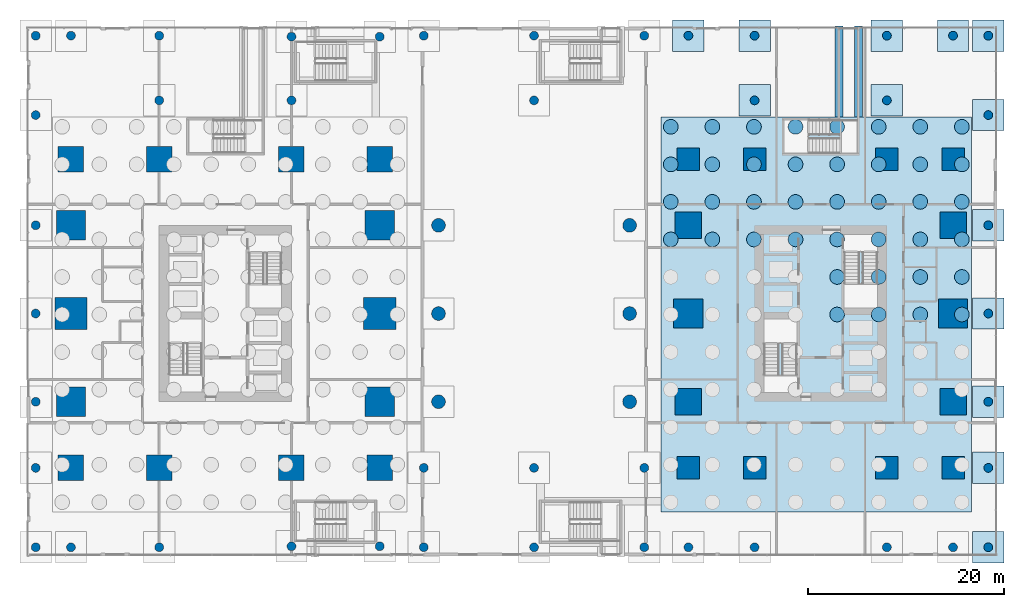
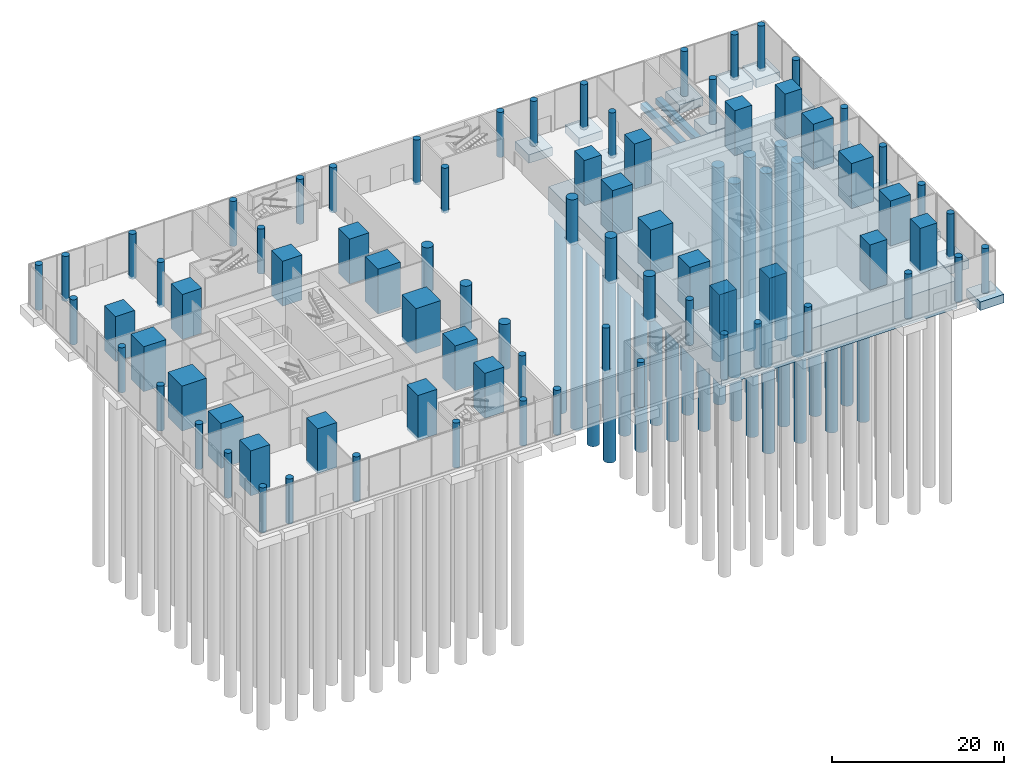
# One storey, part 2 of 31: 78 columns, 40 piles, 16 footings.
"""IFC4 building model written with IfcOpenShell, lengths in metres."""

from ifc_helpers import new_model, si_unit, direction, frame, origin, origin_2d, place, context, subcontext, project, spatial, rectangle, circle, extrude, material, material_profile, profile_set, type_object, element, save


model = new_model("IFC4")

# Units and contexts
model_context = context("Model", 3, precision=1e-05, world=origin(), true_north=direction((0.0, 1.0)))
body_context = subcontext(model_context, "Body", "Model", "MODEL_VIEW")
ifc_project = project(units=[si_unit("LENGTHUNIT", "METRE"), si_unit("AREAUNIT", "SQUARE_METRE"), si_unit("VOLUMEUNIT", "CUBIC_METRE"), si_unit("PLANEANGLEUNIT", "RADIAN"), si_unit("MASSUNIT", "GRAM", prefix="KILO")], contexts=[model_context])

# Site, building, storey
site_placement = place(None, origin())
site = spatial("IfcSite", under=ifc_project, at=site_placement, CompositionType="ELEMENT")
building_placement = place(site_placement, origin())
building = spatial("IfcBuilding", under=site, at=building_placement, Name="Namib Vertical Campus", CompositionType="ELEMENT")
storey_placement = place(building_placement, origin())
storey = spatial("IfcBuildingStorey", under=building, at=storey_placement, Name="L00", CompositionType="ELEMENT", Elevation=0.0)

# Piles
ifc_material_1 = material(Name="Concrete C35/45", Category="concrete")
ifc_material_profile_1 = material_profile(ifc_material_1, circle(Radius=0.75, at=origin_2d()))
ifc_profile_set_1 = profile_set([ifc_material_profile_1], Name="Concrete C35/45")
pile_type = type_object("IfcPileType", Name="Bored pile D1500", PredefinedType="BORED", material=ifc_profile_set_1)
for number, where, z_axis, x_axis, name in (
    (1, (82.6708984375, 20.14990234375, -4.39990234375), (0.0, 0.0, -1.0), (1.0, 0.0, 0.0), "Pile BP3 B-45"),
    (2, (86.9140625, 20.14990234375, -4.39990234375), (0.0, 0.0, -1.0), (1.0, 0.0, 0.0), "Pile BP3 B-46"),
    (3, (91.156982421875, 20.14990234375, -4.39990234375), (0.0, 0.0, -1.0), (1.0, 0.0, 0.0), "Pile BP3 B-47"),
    (4, (95.39990234375, 20.14990234375, -4.39990234375), (0.0, 0.0, -1.0), (1.0, 0.0, 0.0), "Pile BP3 B-48"),
    (5, (82.6708984375, 23.97998046875, -4.39990234375), (0.0, 0.0, -1.0), (1.0, 0.0, 0.0), "Pile BP3 B-53"),
    (6, (86.9140625, 23.97998046875, -4.39990234375), (0.0, 0.0, -1.0), (1.0, 0.0, 0.0), "Pile BP3 B-54"),
    (7, (91.156982421875, 23.97998046875, -4.39990234375), (0.0, 0.0, -1.0), (1.0, 0.0, 0.0), "Pile BP3 B-55"),
    (8, (95.39990234375, 23.97998046875, -4.39990234375), (0.0, 0.0, -1.0), (1.0, 0.0, 0.0), "Pile BP3 B-56"),
    (9, (65.699951171875, 27.81005859375, -4.39990234375), (0.0, 0.0, -1.0), (1.0, 0.0, 0.0), "Pile BP3 B-57"),
    (10, (69.943115234375, 27.81005859375, -4.39990234375), (0.0, 0.0, -1.0), (1.0, 0.0, 0.0), "Pile BP3 B-58"),
    (11, (74.18603515625, 27.81005859375, -4.39990234375), (0.0, 0.0, -1.0), (1.0, 0.0, 0.0), "Pile BP3 B-59"),
    (12, (78.428955078125, 27.81005859375, -4.39990234375), (0.0, 0.0, -1.0), (1.0, 0.0, 0.0), "Pile BP3 B-60"),
    (13, (82.6708984375, 27.81005859375, -4.39990234375), (0.0, 0.0, -1.0), (1.0, 0.0, 0.0), "Pile BP3 B-61"),
    (14, (86.9140625, 27.81005859375, -4.39990234375), (0.0, 0.0, -1.0), (1.0, 0.0, 0.0), "Pile BP3 B-62"),
    (15, (91.156982421875, 27.81005859375, -4.39990234375), (0.0, 0.0, -1.0), (1.0, 0.0, 0.0), "Pile BP3 B-63"),
    (16, (95.39990234375, 27.81005859375, -4.39990234375), (0.0, 0.0, -1.0), (1.0, 0.0, 0.0), "Pile BP3 B-64"),
    (17, (65.699951171875, 31.639892578125, -4.39990234375), (0.0, 0.0, -1.0), (1.0, 0.0, 0.0), "Pile BP3 B-65"),
    (18, (69.943115234375, 31.639892578125, -4.39990234375), (0.0, 0.0, -1.0), (1.0, 0.0, 0.0), "Pile BP3 B-66"),
    (19, (74.18603515625, 31.639892578125, -4.39990234375), (0.0, 0.0, -1.0), (1.0, 0.0, 0.0), "Pile BP3 B-67"),
    (20, (78.428955078125, 31.639892578125, -4.39990234375), (0.0, 0.0, -1.0), (1.0, 0.0, 0.0), "Pile BP3 B-68"),
    (21, (82.6708984375, 31.639892578125, -4.39990234375), (0.0, 0.0, -1.0), (1.0, 0.0, 0.0), "Pile BP3 B-69"),
    (22, (86.9140625, 31.639892578125, -4.39990234375), (0.0, 0.0, -1.0), (1.0, 0.0, 0.0), "Pile BP3 B-70"),
    (23, (91.156982421875, 31.639892578125, -4.39990234375), (0.0, 0.0, -1.0), (1.0, 0.0, 0.0), "Pile BP3 B-71"),
    (24, (95.39990234375, 31.639892578125, -4.39990234375), (0.0, 0.0, -1.0), (1.0, 0.0, 0.0), "Pile BP3 B-72"),
    (25, (65.699951171875, 35.469970703125, -4.39990234375), (0.0, 0.0, -1.0), (1.0, 0.0, 0.0), "Pile BP3 B-73"),
    (26, (69.943115234375, 35.469970703125, -4.39990234375), (0.0, 0.0, -1.0), (1.0, 0.0, 0.0), "Pile BP3 B-74"),
    (27, (74.18603515625, 35.469970703125, -4.39990234375), (0.0, 0.0, -1.0), (1.0, 0.0, 0.0), "Pile BP3 B-75"),
    (28, (78.428955078125, 35.469970703125, -4.39990234375), (0.0, 0.0, -1.0), (1.0, 0.0, 0.0), "Pile BP3 B-76"),
    (29, (82.6708984375, 35.469970703125, -4.39990234375), (0.0, 0.0, -1.0), (1.0, 0.0, 0.0), "Pile BP3 B-77"),
    (30, (86.9140625, 35.469970703125, -4.39990234375), (0.0, 0.0, -1.0), (1.0, 0.0, 0.0), "Pile BP3 B-78"),
    (31, (91.156982421875, 35.469970703125, -4.39990234375), (0.0, 0.0, -1.0), (1.0, 0.0, 0.0), "Pile BP3 B-79"),
    (32, (95.39990234375, 35.469970703125, -4.39990234375), (0.0, 0.0, -1.0), (1.0, 0.0, 0.0), "Pile BP3 B-80"),
    (33, (65.699951171875, 39.300048828125, -4.39990234375), (0.0, 0.0, -1.0), (1.0, 0.0, 0.0), "Pile BP3 B-81"),
    (34, (69.943115234375, 39.300048828125, -4.39990234375), (0.0, 0.0, -1.0), (1.0, 0.0, 0.0), "Pile BP3 B-82"),
    (35, (74.18603515625, 39.300048828125, -4.39990234375), (0.0, 0.0, -1.0), (1.0, 0.0, 0.0), "Pile BP3 B-83"),
    (36, (78.428955078125, 39.300048828125, -4.39990234375), (0.0, 0.0, -1.0), (1.0, 0.0, 0.0), "Pile BP3 B-84"),
    (37, (82.6708984375, 39.300048828125, -4.39990234375), (0.0, 0.0, -1.0), (1.0, 0.0, 0.0), "Pile BP3 B-85"),
    (38, (86.9140625, 39.300048828125, -4.39990234375), (0.0, 0.0, -1.0), (1.0, 0.0, 0.0), "Pile BP3 B-86"),
    (39, (91.156982421875, 39.300048828125, -4.39990234375), (0.0, 0.0, -1.0), (1.0, 0.0, 0.0), "Pile BP3 B-87"),
    (40, (95.39990234375, 39.300048828125, -4.39990234375), (0.0, 0.0, -1.0), (1.0, 0.0, 0.0), "Pile BP3 B-88"),
):
    element("IfcPile", number, at=place(storey_placement, frame(where, z_axis=z_axis, x_axis=x_axis)), inside=storey, type_object=pile_type, Name=name, PredefinedType="BORED", context=body_context, shape_type="SweptSolid", body=[
        extrude(circle(Radius=0.75, at=origin_2d()), origin(), (0.0, 0.0, 1.0), 27.60009765625),
    ])

# Footings
ifc_material_2 = material(Name="Concrete C35/45", Category="concrete")
footing_type_1 = type_object("IfcFootingType", Name="Pad footing 3200x3200x1200", PredefinedType="PAD_FOOTING", material=ifc_material_2)
for number, where, z_axis, x_axis, name in (
    (41, (98.10009765625, -3.60009765625, -1.60009765625), (0.0, 0.0, 1.0), (1.0, 0.0, 0.0), "Pad footing PF2"),
    (42, (98.10009765625, 4.5, -1.60009765625), (0.0, 0.0, 1.0), (1.0, 0.0, 0.0), "Pad footing PF2"),
    (43, (98.10009765625, 11.25, -1.60009765625), (0.0, 0.0, 1.0), (1.0, 0.0, 0.0), "Pad footing PF2"),
    (44, (98.10009765625, 20.25, -1.60009765625), (0.0, 0.0, 1.0), (1.0, 0.0, 0.0), "Pad footing PF2"),
    (45, (98.10009765625, 29.25, -1.60009765625), (0.0, 0.0, 1.0), (1.0, 0.0, 0.0), "Pad footing PF2"),
    (46, (74.25, 42.0, -1.60009765625), (0.0, 0.0, 1.0), (1.0, 0.0, 0.0), "Pad footing PF2"),
    (47, (87.75, 42.0, -1.60009765625), (0.0, 0.0, 1.0), (1.0, 0.0, 0.0), "Pad footing PF2"),
    (48, (98.10009765625, 40.5, -1.60009765625), (0.0, 0.0, 1.0), (1.0, 0.0, 0.0), "Pad footing PF2"),
    (49, (67.5, 48.60009765625, -1.60009765625), (0.0, 0.0, 1.0), (1.0, 0.0, 0.0), "Pad footing PF2"),
    (50, (74.25, 48.60009765625, -1.60009765625), (0.0, 0.0, 1.0), (1.0, 0.0, 0.0), "Pad footing PF2"),
    (51, (87.75, 48.60009765625, -1.60009765625), (0.0, 0.0, 1.0), (1.0, 0.0, 0.0), "Pad footing PF2"),
    (52, (94.5, 48.60009765625, -1.60009765625), (0.0, 0.0, 1.0), (1.0, 0.0, 0.0), "Pad footing PF2"),
    (53, (98.10009765625, 48.60009765625, -1.60009765625), (0.0, 0.0, 1.0), (1.0, 0.0, 0.0), "Pad footing PF2"),
):
    element("IfcFooting", number, at=place(storey_placement, frame(where, z_axis=z_axis, x_axis=x_axis)), inside=storey, type_object=footing_type_1, Name=name, PredefinedType="PAD_FOOTING", context=body_context, shape_type="SweptSolid", body=[
        extrude(rectangle(XDim=3.199951171875, YDim=3.199951171875, at=origin_2d()), origin(), (0.0, 0.0, 1.0), 1.199951171875),
    ])
ifc_material_3 = material(Name="Concrete C35/45", Category="concrete")
footing_type_2 = type_object("IfcFootingType", Name="Strip footing 800x800", PredefinedType="STRIP_FOOTING", material=ifc_material_3)
for number, where, z_axis, x_axis, name in (
    (54, (84.85009765625, 44.949951171875, -1.2001953125), (0.0, 0.0, 1.0), (1.0, 0.0, 0.0), "Strip footing FS1 B-S3-1"),
    (55, (82.85009765625, 44.949951171875, -1.2001953125), (0.0, 0.0, 1.0), (1.0, 0.0, 0.0), "Strip footing FS1 B-S3-2"),
):
    element("IfcFooting", number, at=place(storey_placement, frame(where, z_axis=z_axis, x_axis=x_axis)), inside=storey, type_object=footing_type_2, Name=name, PredefinedType="STRIP_FOOTING", context=body_context, shape_type="SweptSolid", body=[
        extrude(rectangle(XDim=0.800048828125, YDim=9.300048828125, at=origin_2d()), origin(), (0.0, 0.0, 1.0), 0.800048828125),
    ])
ifc_material_4 = material(Name="Concrete C35/45", Category="concrete")
footing_type_3 = type_object("IfcFootingType", Name="Tower B piled raft 4000", PredefinedType="PILE_CAP", material=ifc_material_4)
footing_placement = place(storey_placement, frame((80.550048828125, 20.14990234375, -4.39990234375), z_axis=(0.0, 0.0, 1.0), x_axis=(1.0, 0.0, 0.0)))
element("IfcFooting", 56, at=footing_placement, inside=storey, type_object=footing_type_3, Name="Piled raft PRB Tower B", PredefinedType="PILE_CAP", context=body_context, shape_type="SweptSolid", body=[
    extrude(rectangle(XDim=31.699951171875, YDim=40.300048828125, at=origin_2d()), origin(), (0.0, 0.0, 1.0), 4.0),
])

# Columns
ifc_material_5 = material(Name="Concrete C60/75", Category="concrete")
ifc_material_profile_2 = material_profile(ifc_material_5, circle(Radius=0.699951171875, at=origin_2d()))
ifc_profile_set_2 = profile_set([ifc_material_profile_2], Name="Concrete C60/75")
column_type_1 = type_object("IfcColumnType", Name="Atrium column RC D1400", PredefinedType="COLUMN", material=ifc_profile_set_2)
for number, where, z_axis, x_axis, name in (
    (57, (42.0, 11.25, -0.39990234375), (0.0, 0.0, 1.0), (1.0, 0.0, 0.0), "Column PC14 L00"),
    (58, (61.5, 11.25, -0.39990234375), (0.0, 0.0, 1.0), (1.0, 0.0, 0.0), "Column PC14 L00"),
    (59, (42.0, 20.25, -0.39990234375), (0.0, 0.0, 1.0), (1.0, 0.0, 0.0), "Column PC14 L00"),
    (60, (61.5, 20.25, -0.39990234375), (0.0, 0.0, 1.0), (1.0, 0.0, 0.0), "Column PC14 L00"),
    (61, (42.0, 29.25, -0.39990234375), (0.0, 0.0, 1.0), (1.0, 0.0, 0.0), "Column PC14 L00"),
    (62, (61.5, 29.25, -0.39990234375), (0.0, 0.0, 1.0), (1.0, 0.0, 0.0), "Column PC14 L00"),
):
    element("IfcColumn", number, at=place(storey_placement, frame(where, z_axis=z_axis, x_axis=x_axis)), inside=storey, type_object=column_type_1, Name=name, PredefinedType="COLUMN", context=body_context, shape_type="SweptSolid", body=[
        extrude(circle(Radius=0.699951171875, at=origin_2d()), origin(), (0.0, 0.0, 1.0), 6.39990234375),
    ])
ifc_material_6 = material(Name="Concrete C60/75", Category="concrete")
ifc_material_profile_3 = material_profile(ifc_material_6, rectangle(XDim=2.300048828125, YDim=2.300048828125, at=origin_2d()))
ifc_profile_set_3 = profile_set([ifc_material_profile_3], Name="Concrete C60/75")
column_type_2 = type_object("IfcColumnType", Name="Column RC 2300x2300", PredefinedType="COLUMN", material=ifc_profile_set_3)
for number, where, z_axis, x_axis, name in (
    (63, (67.5, 4.5, -0.39990234375), (0.0, 0.0, 1.0), (1.0, 0.0, 0.0), "Column C230 L00"),
    (64, (74.25, 4.5, -0.39990234375), (0.0, 0.0, 1.0), (1.0, 0.0, 0.0), "Column C230 L00"),
    (65, (87.75, 4.5, -0.39990234375), (0.0, 0.0, 1.0), (1.0, 0.0, 0.0), "Column C230 L00"),
    (66, (94.5, 4.5, -0.39990234375), (0.0, 0.0, 1.0), (1.0, 0.0, 0.0), "Column C230 L00"),
    (67, (67.5, 36.0, -0.39990234375), (0.0, 0.0, 1.0), (1.0, 0.0, 0.0), "Column C230 L00"),
    (68, (74.25, 36.0, -0.39990234375), (0.0, 0.0, 1.0), (1.0, 0.0, 0.0), "Column C230 L00"),
    (69, (87.75, 36.0, -0.39990234375), (0.0, 0.0, 1.0), (1.0, 0.0, 0.0), "Column C230 L00"),
    (70, (94.5, 36.0, -0.39990234375), (0.0, 0.0, 1.0), (1.0, 0.0, 0.0), "Column C230 L00"),
):
    element("IfcColumn", number, at=place(storey_placement, frame(where, z_axis=z_axis, x_axis=x_axis)), inside=storey, type_object=column_type_2, Name=name, PredefinedType="COLUMN", context=body_context, shape_type="SweptSolid", body=[
        extrude(rectangle(XDim=2.300048828125, YDim=2.300048828125, at=origin_2d()), origin(), (0.0, 0.0, 1.0), 6.39990234375),
    ])
ifc_material_7 = material(Name="Concrete C60/75", Category="concrete")
ifc_material_profile_4 = material_profile(ifc_material_7, rectangle(XDim=2.60009765625, YDim=2.60009765625, at=origin_2d()))
ifc_profile_set_4 = profile_set([ifc_material_profile_4], Name="Concrete C60/75")
column_type_3 = type_object("IfcColumnType", Name="Column RC 2600x2600", PredefinedType="COLUMN", material=ifc_profile_set_4)
for number, where, z_axis, x_axis, name in (
    (71, (4.5, 4.5, -0.39990234375), (0.0, 0.0, 1.0), (1.0, 0.0, 0.0), "Column C260 L00"),
    (72, (13.5, 4.5, -0.39990234375), (0.0, 0.0, 1.0), (1.0, 0.0, 0.0), "Column C260 L00"),
    (73, (27.0, 4.5, -0.39990234375), (0.0, 0.0, 1.0), (1.0, 0.0, 0.0), "Column C260 L00"),
    (74, (36.0, 4.5, -0.39990234375), (0.0, 0.0, 1.0), (1.0, 0.0, 0.0), "Column C260 L00"),
    (75, (4.5, 36.0, -0.39990234375), (0.0, 0.0, 1.0), (1.0, 0.0, 0.0), "Column C260 L00"),
    (76, (13.5, 36.0, -0.39990234375), (0.0, 0.0, 1.0), (1.0, 0.0, 0.0), "Column C260 L00"),
    (77, (27.0, 36.0, -0.39990234375), (0.0, 0.0, 1.0), (1.0, 0.0, 0.0), "Column C260 L00"),
    (78, (36.0, 36.0, -0.39990234375), (0.0, 0.0, 1.0), (1.0, 0.0, 0.0), "Column C260 L00"),
):
    element("IfcColumn", number, at=place(storey_placement, frame(where, z_axis=z_axis, x_axis=x_axis)), inside=storey, type_object=column_type_3, Name=name, PredefinedType="COLUMN", context=body_context, shape_type="SweptSolid", body=[
        extrude(rectangle(XDim=2.60009765625, YDim=2.60009765625, at=origin_2d()), origin(), (0.0, 0.0, 1.0), 6.39990234375),
    ])
ifc_material_8 = material(Name="Concrete C60/75", Category="concrete")
ifc_material_profile_5 = material_profile(ifc_material_8, rectangle(XDim=2.699951171875, YDim=2.699951171875, at=origin_2d()))
ifc_profile_set_5 = profile_set([ifc_material_profile_5], Name="Concrete C60/75")
column_type_4 = type_object("IfcColumnType", Name="Column RC 2700x2700", PredefinedType="COLUMN", material=ifc_profile_set_5)
for number, where, z_axis, x_axis, name in (
    (79, (67.5, 11.25, -0.39990234375), (0.0, 0.0, 1.0), (1.0, 0.0, 0.0), "Column C270 L00"),
    (80, (94.5, 11.25, -0.39990234375), (0.0, 0.0, 1.0), (1.0, 0.0, 0.0), "Column C270 L00"),
    (81, (67.5, 29.25, -0.39990234375), (0.0, 0.0, 1.0), (1.0, 0.0, 0.0), "Column C270 L00"),
    (82, (94.5, 29.25, -0.39990234375), (0.0, 0.0, 1.0), (1.0, 0.0, 0.0), "Column C270 L00"),
):
    element("IfcColumn", number, at=place(storey_placement, frame(where, z_axis=z_axis, x_axis=x_axis)), inside=storey, type_object=column_type_4, Name=name, PredefinedType="COLUMN", context=body_context, shape_type="SweptSolid", body=[
        extrude(rectangle(XDim=2.699951171875, YDim=2.699951171875, at=origin_2d()), origin(), (0.0, 0.0, 1.0), 6.39990234375),
    ])
ifc_material_9 = material(Name="Concrete C60/75", Category="concrete")
ifc_material_profile_6 = material_profile(ifc_material_9, rectangle(XDim=3.0, YDim=3.0, at=origin_2d()))
ifc_profile_set_6 = profile_set([ifc_material_profile_6], Name="Concrete C60/75")
column_type_5 = type_object("IfcColumnType", Name="Column RC 3000x3000", PredefinedType="COLUMN", material=ifc_profile_set_6)
for number, where, z_axis, x_axis, name in (
    (83, (4.5, 11.25, -0.39990234375), (0.0, 0.0, 1.0), (1.0, 0.0, 0.0), "Column C300 L00"),
    (84, (36.0, 11.25, -0.39990234375), (0.0, 0.0, 1.0), (1.0, 0.0, 0.0), "Column C300 L00"),
    (85, (4.5, 29.25, -0.39990234375), (0.0, 0.0, 1.0), (1.0, 0.0, 0.0), "Column C300 L00"),
    (86, (36.0, 29.25, -0.39990234375), (0.0, 0.0, 1.0), (1.0, 0.0, 0.0), "Column C300 L00"),
    (87, (67.5, 20.25, -0.39990234375), (0.0, 0.0, 1.0), (1.0, 0.0, 0.0), "Column C300 L00"),
    (88, (94.5, 20.25, -0.39990234375), (0.0, 0.0, 1.0), (1.0, 0.0, 0.0), "Column C300 L00"),
):
    element("IfcColumn", number, at=place(storey_placement, frame(where, z_axis=z_axis, x_axis=x_axis)), inside=storey, type_object=column_type_5, Name=name, PredefinedType="COLUMN", context=body_context, shape_type="SweptSolid", body=[
        extrude(rectangle(XDim=3.0, YDim=3.0, at=origin_2d()), origin(), (0.0, 0.0, 1.0), 6.39990234375),
    ])
ifc_material_10 = material(Name="Concrete C60/75", Category="concrete")
ifc_material_profile_7 = material_profile(ifc_material_10, rectangle(XDim=3.300048828125, YDim=3.300048828125, at=origin_2d()))
ifc_profile_set_7 = profile_set([ifc_material_profile_7], Name="Concrete C60/75")
column_type_6 = type_object("IfcColumnType", Name="Column RC 3300x3300", PredefinedType="COLUMN", material=ifc_profile_set_7)
for number, where, z_axis, x_axis, name in (
    (89, (4.5, 20.25, -0.39990234375), (0.0, 0.0, 1.0), (1.0, 0.0, 0.0), "Column C330 L00"),
    (90, (36.0, 20.25, -0.39990234375), (0.0, 0.0, 1.0), (1.0, 0.0, 0.0), "Column C330 L00"),
):
    element("IfcColumn", number, at=place(storey_placement, frame(where, z_axis=z_axis, x_axis=x_axis)), inside=storey, type_object=column_type_6, Name=name, PredefinedType="COLUMN", context=body_context, shape_type="SweptSolid", body=[
        extrude(rectangle(XDim=3.300048828125, YDim=3.300048828125, at=origin_2d()), origin(), (0.0, 0.0, 1.0), 6.39990234375),
    ])
ifc_material_11 = material(Name="Concrete C60/75", Category="concrete")
ifc_material_profile_8 = material_profile(ifc_material_11, circle(Radius=0.449951171875, at=origin_2d()))
ifc_profile_set_8 = profile_set([ifc_material_profile_8], Name="Concrete C60/75")
column_type_7 = type_object("IfcColumnType", Name="Podium column RC D900", PredefinedType="COLUMN", material=ifc_profile_set_8)
for number, where, z_axis, x_axis, name in (
    (91, (0.89990234375, -3.60009765625, -0.39990234375), (0.0, 0.0, 1.0), (1.0, 0.0, 0.0), "Column PC9 L00"),
    (92, (4.5, -3.60009765625, -0.39990234375), (0.0, 0.0, 1.0), (1.0, 0.0, 0.0), "Column PC9 L00"),
    (93, (13.5, -3.60009765625, -0.39990234375), (0.0, 0.0, 1.0), (1.0, 0.0, 0.0), "Column PC9 L00"),
    (94, (27.0, -3.5, -0.39990234375), (0.0, 0.0, 1.0), (1.0, 0.0, 0.0), "Column PC9 L00"),
    (95, (36.0, -3.5, -0.39990234375), (0.0, 0.0, 1.0), (1.0, 0.0, 0.0), "Column PC9 L00"),
    (96, (40.5, -3.60009765625, -0.39990234375), (0.0, 0.0, 1.0), (1.0, 0.0, 0.0), "Column PC9 L00"),
    (97, (51.75, -3.60009765625, -0.39990234375), (0.0, 0.0, 1.0), (1.0, 0.0, 0.0), "Column PC9 L00"),
    (98, (63.0, -3.60009765625, -0.39990234375), (0.0, 0.0, 1.0), (1.0, 0.0, 0.0), "Column PC9 L00"),
    (99, (67.5, -3.60009765625, -0.39990234375), (0.0, 0.0, 1.0), (1.0, 0.0, 0.0), "Column PC9 L00"),
    (100, (74.25, -3.60009765625, -0.39990234375), (0.0, 0.0, 1.0), (1.0, 0.0, 0.0), "Column PC9 L00"),
    (101, (87.75, -3.60009765625, -0.39990234375), (0.0, 0.0, 1.0), (1.0, 0.0, 0.0), "Column PC9 L00"),
    (102, (94.5, -3.60009765625, -0.39990234375), (0.0, 0.0, 1.0), (1.0, 0.0, 0.0), "Column PC9 L00"),
    (103, (98.10009765625, -3.60009765625, -0.39990234375), (0.0, 0.0, 1.0), (1.0, 0.0, 0.0), "Column PC9 L00"),
    (104, (0.89990234375, 4.5, -0.39990234375), (0.0, 0.0, 1.0), (1.0, 0.0, 0.0), "Column PC9 L00"),
    (105, (40.5, 4.5, -0.39990234375), (0.0, 0.0, 1.0), (1.0, 0.0, 0.0), "Column PC9 L00"),
    (106, (51.75, 4.5, -0.39990234375), (0.0, 0.0, 1.0), (1.0, 0.0, 0.0), "Column PC9 L00"),
    (107, (63.0, 4.5, -0.39990234375), (0.0, 0.0, 1.0), (1.0, 0.0, 0.0), "Column PC9 L00"),
    (108, (98.10009765625, 4.5, -0.39990234375), (0.0, 0.0, 1.0), (1.0, 0.0, 0.0), "Column PC9 L00"),
    (109, (0.89990234375, 11.25, -0.39990234375), (0.0, 0.0, 1.0), (1.0, 0.0, 0.0), "Column PC9 L00"),
    (110, (98.10009765625, 11.25, -0.39990234375), (0.0, 0.0, 1.0), (1.0, 0.0, 0.0), "Column PC9 L00"),
    (111, (0.89990234375, 20.25, -0.39990234375), (0.0, 0.0, 1.0), (1.0, 0.0, 0.0), "Column PC9 L00"),
    (112, (98.10009765625, 20.25, -0.39990234375), (0.0, 0.0, 1.0), (1.0, 0.0, 0.0), "Column PC9 L00"),
    (113, (0.89990234375, 29.25, -0.39990234375), (0.0, 0.0, 1.0), (1.0, 0.0, 0.0), "Column PC9 L00"),
    (114, (98.10009765625, 29.25, -0.39990234375), (0.0, 0.0, 1.0), (1.0, 0.0, 0.0), "Column PC9 L00"),
    (115, (0.89990234375, 40.5, -0.39990234375), (0.0, 0.0, 1.0), (1.0, 0.0, 0.0), "Column PC9 L00"),
    (116, (13.5, 42.0, -0.39990234375), (0.0, 0.0, 1.0), (1.0, 0.0, 0.0), "Column PC9 L00"),
    (117, (27.0, 42.0, -0.39990234375), (0.0, 0.0, 1.0), (1.0, 0.0, 0.0), "Column PC9 L00"),
    (118, (51.75, 42.0, -0.39990234375), (0.0, 0.0, 1.0), (1.0, 0.0, 0.0), "Column PC9 L00"),
    (119, (74.25, 42.0, -0.39990234375), (0.0, 0.0, 1.0), (1.0, 0.0, 0.0), "Column PC9 L00"),
    (120, (87.75, 42.0, -0.39990234375), (0.0, 0.0, 1.0), (1.0, 0.0, 0.0), "Column PC9 L00"),
    (121, (98.10009765625, 40.5, -0.39990234375), (0.0, 0.0, 1.0), (1.0, 0.0, 0.0), "Column PC9 L00"),
    (122, (0.89990234375, 48.60009765625, -0.39990234375), (0.0, 0.0, 1.0), (1.0, 0.0, 0.0), "Column PC9 L00"),
    (123, (4.5, 48.60009765625, -0.39990234375), (0.0, 0.0, 1.0), (1.0, 0.0, 0.0), "Column PC9 L00"),
    (124, (13.5, 48.60009765625, -0.39990234375), (0.0, 0.0, 1.0), (1.0, 0.0, 0.0), "Column PC9 L00"),
    (125, (27.0, 48.5, -0.39990234375), (0.0, 0.0, 1.0), (1.0, 0.0, 0.0), "Column PC9 L00"),
    (126, (36.0, 48.5, -0.39990234375), (0.0, 0.0, 1.0), (1.0, 0.0, 0.0), "Column PC9 L00"),
    (127, (40.5, 48.60009765625, -0.39990234375), (0.0, 0.0, 1.0), (1.0, 0.0, 0.0), "Column PC9 L00"),
    (128, (51.75, 48.60009765625, -0.39990234375), (0.0, 0.0, 1.0), (1.0, 0.0, 0.0), "Column PC9 L00"),
    (129, (63.0, 48.60009765625, -0.39990234375), (0.0, 0.0, 1.0), (1.0, 0.0, 0.0), "Column PC9 L00"),
    (130, (67.5, 48.60009765625, -0.39990234375), (0.0, 0.0, 1.0), (1.0, 0.0, 0.0), "Column PC9 L00"),
    (131, (74.25, 48.60009765625, -0.39990234375), (0.0, 0.0, 1.0), (1.0, 0.0, 0.0), "Column PC9 L00"),
    (132, (87.75, 48.60009765625, -0.39990234375), (0.0, 0.0, 1.0), (1.0, 0.0, 0.0), "Column PC9 L00"),
    (133, (94.5, 48.60009765625, -0.39990234375), (0.0, 0.0, 1.0), (1.0, 0.0, 0.0), "Column PC9 L00"),
    (134, (98.10009765625, 48.60009765625, -0.39990234375), (0.0, 0.0, 1.0), (1.0, 0.0, 0.0), "Column PC9 L00"),
):
    element("IfcColumn", number, at=place(storey_placement, frame(where, z_axis=z_axis, x_axis=x_axis)), inside=storey, type_object=column_type_7, Name=name, PredefinedType="COLUMN", context=body_context, shape_type="SweptSolid", body=[
        extrude(circle(Radius=0.449951171875, at=origin_2d()), origin(), (0.0, 0.0, 1.0), 6.39990234375),
    ])

save(model, "model.ifc")
